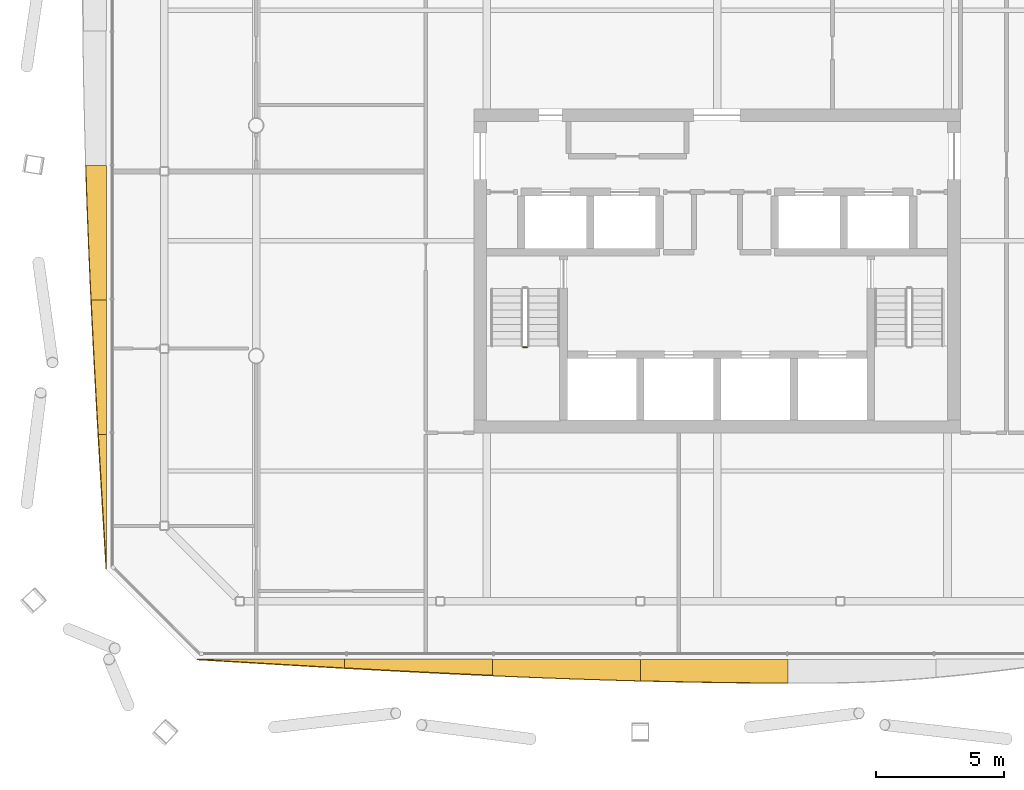
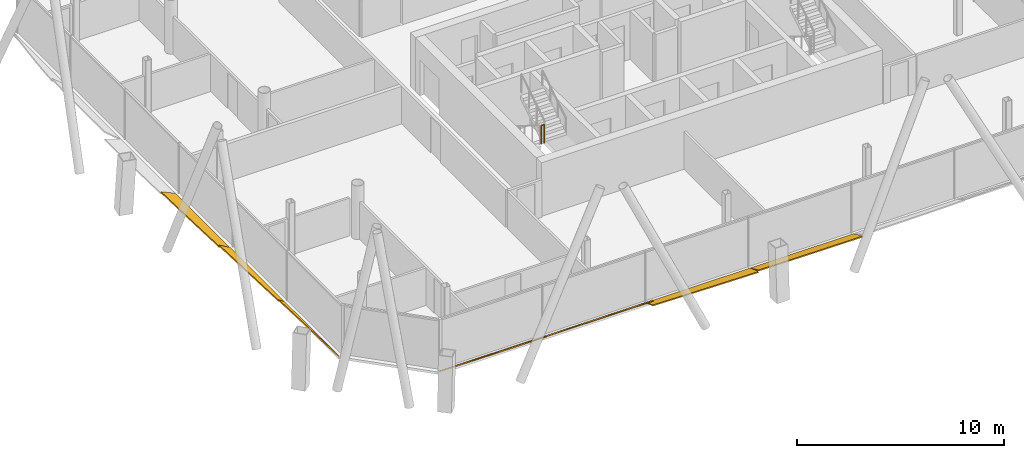
# One storey, part 17 of 20: 7 shading devices, 1 railing.
"""IFC4 building model written with IfcOpenShell, lengths in metres."""

from ifc_helpers import new_model, si_unit, direction, frame, origin, origin_2d, place, context, subcontext, project, spatial, polyline, circle, outline, extrude, material, layer, layer_set, type_object, element, save


model = new_model("IFC4")

# Units and contexts
model_context = context("Model", 3, precision=1e-05, world=origin(), true_north=direction((0.0, 1.0)))
body_context = subcontext(model_context, "Body", "Model", "MODEL_VIEW")
ifc_project = project(units=[si_unit("LENGTHUNIT", "METRE"), si_unit("AREAUNIT", "SQUARE_METRE"), si_unit("VOLUMEUNIT", "CUBIC_METRE"), si_unit("PLANEANGLEUNIT", "RADIAN"), si_unit("MASSUNIT", "GRAM", prefix="KILO")], contexts=[model_context])

# Site, building, storey
site_placement = place(None, origin())
site = spatial("IfcSite", under=ifc_project, at=site_placement, CompositionType="ELEMENT")
building_placement = place(site_placement, origin())
building = spatial("IfcBuilding", under=site, at=building_placement, Name="Tskaro Facet Tower", CompositionType="ELEMENT")
storey_placement = place(building_placement, frame((0.0, 0.0, 181.64990234375)))
storey = spatial("IfcBuildingStorey", under=building, at=storey_placement, Name="L45", CompositionType="ELEMENT", Elevation=181.64990234375)

# Shading devices
ifc_material_1 = material(Name="Bronze anodised aluminium 6063-T6", Category="aluminium")
ifc_layer = layer(ifc_material_1, 0.06005859375, Name="Bronze anodised aluminium 6063-T6")
ifc_layer_set = layer_set([ifc_layer], Name="Bronze anodised aluminium 6063-T6")
shading_device_type = type_object("IfcShadingDeviceType", Name="Bronze sun blade (FN1)", PredefinedType="USERDEFINED", material=ifc_layer_set)
shading_device_1_placement = place(storey_placement, frame((-20.31298828125, -20.843505859375, 0.04931640625), z_axis=(-5.002256e-06, 0.573369031556, 0.819297231551), x_axis=(0.999999999987, 2.868139e-06, 4.098335e-06)))
element("IfcShadingDevice", 1, at=shading_device_1_placement, inside=storey, type_object=shading_device_type, Name="Fin blade south 1", ObjectType="FIN", PredefinedType="USERDEFINED", context=body_context, shape_type="SweptSolid", body=[
    extrude(outline(polyline([(0.0, 0.0), (5.770996093677798, 0.0), (5.770996093812562, -0.4121360580572953), (5.049560547118517, -0.36269412736868833), (4.328125000524019, -0.31237216011811586), (3.6069335939538374, -0.261370180043752), (2.8854980471585465, -0.20982816981931832), (2.1640624990623443, -0.15780617050926748), (1.442626952366601, -0.10538412372286826), (0.7214355469960841, -0.052762053198294884), (0.0, 0.0)])), origin(), (0.0, 0.0, -1.0), 0.06005859375),
])
shading_device_2_placement = place(storey_placement, frame((-14.5419921875, -20.83935546875, 0.046142578125), z_axis=(-2.396263e-06, 0.642616339108, 0.766188123574), x_axis=(0.999999999997, 1.539878e-06, 1.835989e-06)))
element("IfcShadingDevice", 2, at=shading_device_2_placement, inside=storey, type_object=shading_device_type, Name="Fin blade south 2", ObjectType="FIN", PredefinedType="USERDEFINED", context=body_context, shape_type="SweptSolid", body=[
    extrude(outline(polyline([(0.0, 0.0), (5.770996093733431, -1.2220559574705293e-21), (5.77099609379527, -0.8202092056208568), (5.049560546792743, -0.7781029444018046), (4.328125000252939, -0.7342467822799458), (3.606933593600726, -0.6888579457953299), (2.885498046786236, -0.6417192084079072), (2.1640625001308145, -0.5933615741670583), (1.4426269531862232, -0.5436281543181176), (0.7214355466497532, -0.4928628952631082), (2.3299426414622296e-11, -0.4406916817073151), (0.0, 0.0)])), origin(), (0.0, 0.0, -1.0), 0.06005859375),
])
shading_device_3_placement = place(storey_placement, frame((-8.77099609375, -20.857421875, 0.056396484375), z_axis=(4.578958e-06, 0.342046968097, 0.939682856923), x_axis=(0.99999999999, -1.566219e-06, -4.302768e-06)))
element("IfcShadingDevice", 3, at=shading_device_3_placement, inside=storey, type_object=shading_device_type, Name="Fin blade south 3", ObjectType="FIN", PredefinedType="USERDEFINED", context=body_context, shape_type="SweptSolid", body=[
    extrude(outline(polyline([(0.0, 0.0), (5.7709960936895, 1.2220559574705293e-21), (5.770996093854143, -0.8851654624058662), (5.049560546860434, -0.864390562349828), (4.328125000341522, -0.841759236292122), (3.606933593489548, -0.8171255770333264), (2.8854980468697526, -0.7908649065328568), (2.1640624996742748, -0.7628313175912907), (1.4426269529535958, -0.7329413026480572), (0.7214355470469872, -0.701737198783714), (-6.030122382135765e-11, -0.6687601764782747), (0.0, 0.0)])), origin(), (0.0, 0.0, -1.0), 0.06005859375),
])
shading_device_4_placement = place(storey_placement, frame((-3.0, -20.8525390625, 0.054443359375), z_axis=(7.37994e-06, 0.422615422402, 0.906309111007), x_axis=(0.999999999973, -3.118876e-06, -6.688507e-06)))
element("IfcShadingDevice", 4, at=shading_device_4_placement, inside=storey, type_object=shading_device_type, Name="Fin blade south 4", ObjectType="FIN", PredefinedType="USERDEFINED", context=body_context, shape_type="SweptSolid", body=[
    extrude(outline(polyline([(0.0, 0.0), (5.770996093592846, -2.4441119149410585e-21), (5.770996093756591, -1.0144708969486822), (5.04956054614868, -1.0102083838301779), (4.3283691404774425, -1.0034385808895665), (3.6069335929884656, -0.9945891101863845), (2.8854980475726144, -0.9834536165339061), (2.164062500964016, -0.9702384551188569), (1.442871093787664, -0.9549436259412367), (0.7214355464265082, -0.9374659514076829), (-4.944582356964977e-10, -0.9178054315181955), (0.0, 0.0)])), origin(), (0.0, 0.0, -1.0), 0.06005859375),
])
shading_device_5_placement = place(storey_placement, frame((-23.8525390625, -1.554443359375, 0.054443359375), z_axis=(0.422548542074, 1.459412e-06, 0.906340294585), x_axis=(6.16673e-07, -0.999999999999, 1.322724e-06)))
element("IfcShadingDevice", 5, at=shading_device_5_placement, inside=storey, type_object=shading_device_type, Name="Fin blade west 4", ObjectType="FIN", PredefinedType="USERDEFINED", context=body_context, shape_type="SweptSolid", body=[
    extrude(outline(polyline([(0.0, 0.0), (5.252929687494406, 0.0), (5.252929687439401, -0.6523958734106543), (4.596191406251283, -0.6858172630515278), (3.9396972656227036, -0.7176015219810385), (3.282958984325481, -0.7482943604363077), (2.626464843760171, -0.7776745039313523), (1.9699707031293974, -0.8054175167150343), (1.313232421980537, -0.8318478345384914), (0.6567382812188374, -0.8563165858994481), (-6.094953083704687e-11, -0.8794726423001803), (0.0, 0.0)])), origin(), (0.0, 0.0, -1.0), 0.06005859375),
])
shading_device_6_placement = place(storey_placement, frame((-23.847900390625, -6.807373046875, 0.052001953125), z_axis=(0.499954164932, 1.0815808e-05, 0.866051864989), x_axis=(5.407408e-06, -0.999999999942, 9.367051e-06)))
element("IfcShadingDevice", 6, at=shading_device_6_placement, inside=storey, type_object=shading_device_type, Name="Fin blade west 5", ObjectType="FIN", PredefinedType="USERDEFINED", context=body_context, shape_type="SweptSolid", body=[
    extrude(outline(polyline([(0.0, 0.0), (5.252685546567767, -4.4491977197695976e-21), (5.2526855476282845, -0.3631447023685733), (4.5961914049810355, -0.40644742544782847), (3.939697265327581, -0.44878233563032616), (3.282958984435891, -0.49023881223737464), (2.626464842235767, -0.531028293712587), (1.9697265637246195, -0.5706385238474287), (1.3132324229383292, -0.6092482612845165), (0.6564941399470925, -0.6466460675802368), (-3.9207360770926187e-10, -0.6827425634132817), (0.0, 0.0)])), origin(), (0.0, 0.0, -1.0), 0.06005859375),
])
shading_device_7_placement = place(storey_placement, frame((-23.843505859375, -12.06005859375, 0.04931640625), z_axis=(0.573261675272, -3.3115295e-05, 0.819372351601), x_axis=(-1.8983729e-05, -0.999999999452, -2.7133757e-05)))
element("IfcShadingDevice", 7, at=shading_device_7_placement, inside=storey, type_object=shading_device_type, Name="Fin blade west 6", ObjectType="FIN", PredefinedType="USERDEFINED", context=body_context, shape_type="SweptSolid", body=[
    extrude(outline(polyline([(0.0, 0.0), (5.252929684619759, 0.0), (4.596435547268125, -0.04910193622575157), (3.939697264656924, -0.09800383037336594), (3.2832031246603424, -0.14656572597907688), (2.626464839404195, -0.19492757950665063), (1.9699707033871194, -0.2428094780285548), (1.3132324221104776, -0.2904913344723217), (0.6567382788137556, -0.33763315029604807), (-5.763026555948737e-09, -0.3838949269578304), (0.0, 0.0)])), origin(), (0.0, 0.0, -1.0), 0.06005859375),
])

# Railing
ifc_material_2 = material(Name="Stainless steel", Category="steel")
railing_type = type_object("IfcRailingType", Name="RL-GUARD-1100", PredefinedType="GUARDRAIL", material=ifc_material_2)
railing_placement = place(storey_placement, frame((-7.574951171875, -8.6650390625, 1.5751953125)))
element("IfcRailing", 8, at=railing_placement, inside=storey, type_object=railing_type, Name="L45 ST-1 stair guard 2", PredefinedType="GUARDRAIL", context=body_context, shape_type="SweptSolid", body=[
    extrude(circle(Radius=0.02392578125, at=origin_2d()), frame((0.0, 0.0, 1.076171875), z_axis=(1.0, 0.0, 0.0), x_axis=(0.0, 1.0, 0.0)), (0.0, 0.0, 1.0), 0.14990234375),
    extrude(circle(Radius=0.02099609375, at=origin_2d()), origin(), (0.0, 0.0, 1.0), 1.052001953125),
    extrude(circle(Radius=0.02099609375, at=origin_2d()), frame((0.14990234375, 0.0, 0.0)), (0.0, 0.0, 1.0), 1.052001953125),
])

save(model, "model.ifc")
